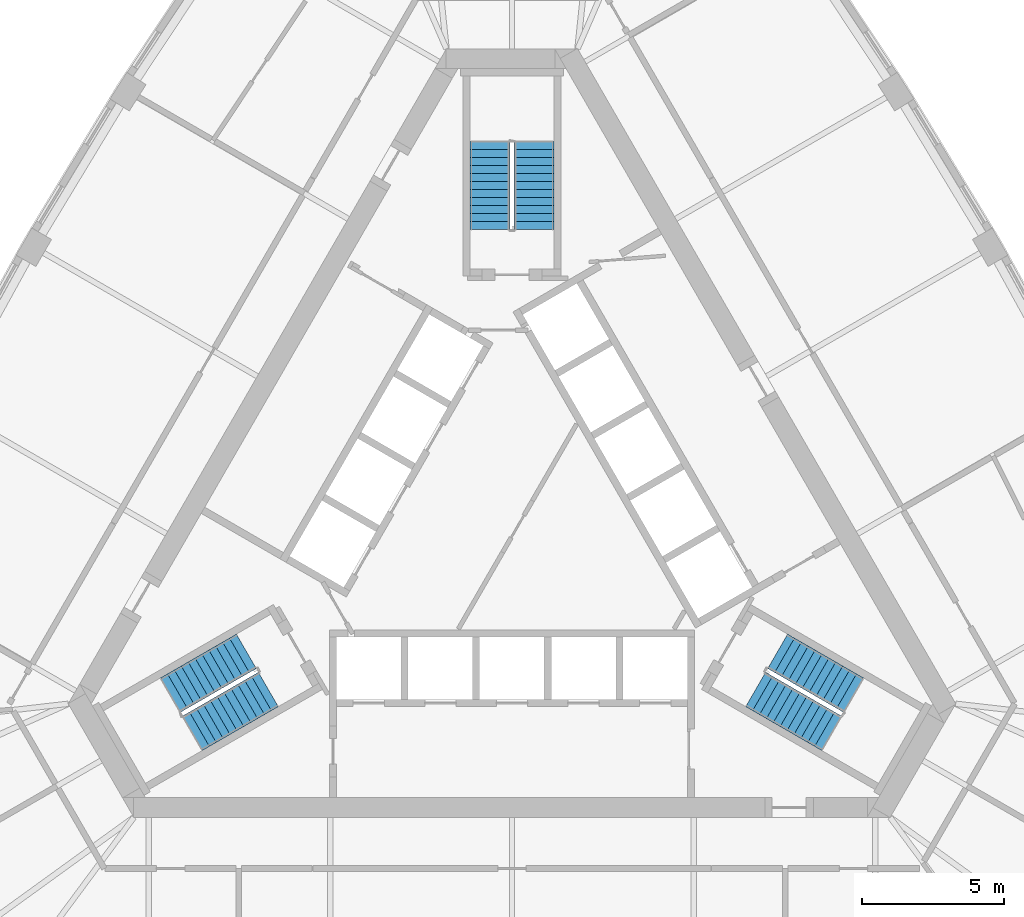
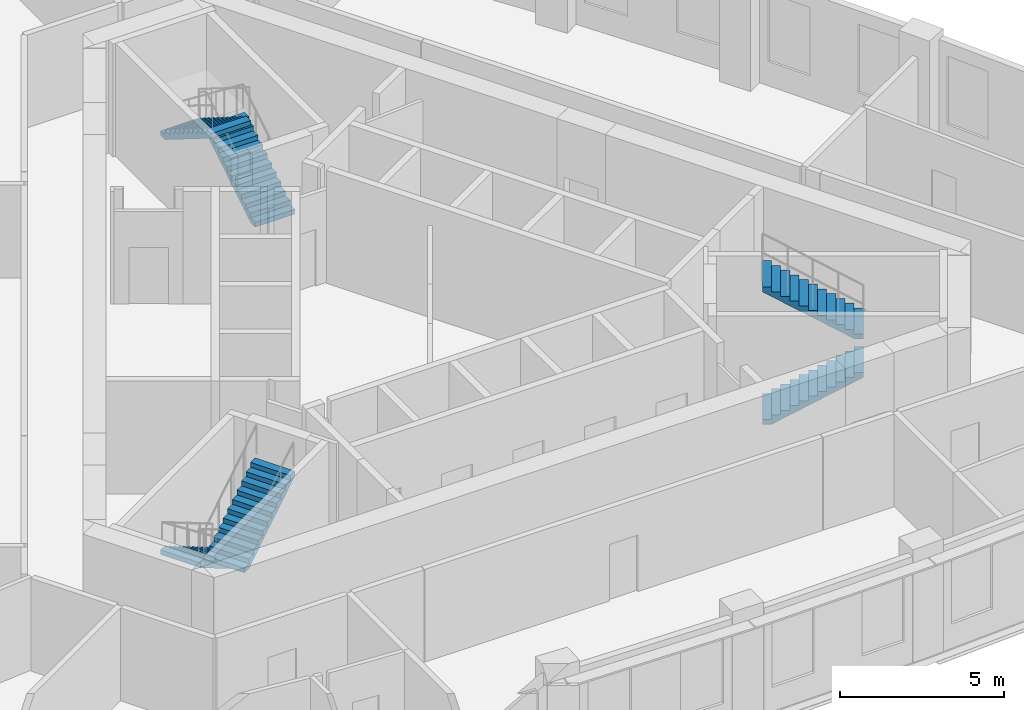
# One storey, part 9 of 10: 6 stair flights, 3 elements without a shape of their own.
"""IFC4 building model written with IfcOpenShell, lengths in metres."""

from ifc_helpers import new_model, si_unit, direction, frame, origin, place, context, subcontext, project, spatial, polyline, outline, extrude, material, type_object, element, aggregate, save


model = new_model("IFC4")

# Units and contexts
model_context = context("Model", 3, precision=1e-05, world=origin(), true_north=direction((0.0, 1.0)))
body_context = subcontext(model_context, "Body", "Model", "MODEL_VIEW")
ifc_project = project(units=[si_unit("LENGTHUNIT", "METRE"), si_unit("AREAUNIT", "SQUARE_METRE"), si_unit("VOLUMEUNIT", "CUBIC_METRE"), si_unit("PLANEANGLEUNIT", "RADIAN"), si_unit("MASSUNIT", "GRAM", prefix="KILO")], contexts=[model_context])

# Site, building, storey
site_placement = place(None, origin())
site = spatial("IfcSite", under=ifc_project, at=site_placement, CompositionType="ELEMENT")
building_placement = place(site_placement, origin())
building = spatial("IfcBuilding", under=site, at=building_placement, Name="Mestral Congress Tower", CompositionType="ELEMENT")
storey_placement = place(building_placement, frame((0.0, 0.0, 239.39990234375)))
storey = spatial("IfcBuildingStorey", under=building, at=storey_placement, Name="L56", CompositionType="ELEMENT", Elevation=239.39990234375)

# Stair, stair flights
ifc_material = material(Name="Concrete C60/75", Category="concrete")
stair_type = type_object("IfcStairType", Name="Exit stair 1400", PredefinedType="HALF_TURN_STAIR", material=ifc_material)
placement = place(storey_placement, origin())
stair_1 = element("IfcStair", 1, at=placement, inside=storey, type_object=stair_type, Name="L56 ST1", PredefinedType="HALF_TURN_STAIR")
stair_flight_type = type_object("IfcStairFlightType", Name="Exit stair flight 1400", PredefinedType="STRAIGHT", material=ifc_material)
stair_flight_1_placement = place(storey_placement, frame((8.575927734375, -5.84619140625, 0.0), z_axis=(0.0, 0.0, 1.0), x_axis=(0.866025403784, -0.5, 0.0)))
stair_flight_1 = element("IfcStairFlight", 2, at=stair_flight_1_placement, type_object=stair_flight_type, Name="ST1 flight 1", NumberOfRisers=12, NumberOfTreads=11, PredefinedType="STRAIGHT", RiserHeight=0.175, TreadLength=0.28, context=body_context, shape_type="SweptSolid", body=[
    extrude(outline(polyline([(0.0, 0.0), (0.0, 0.175048828125), (0.280029296875, 0.175048828125), (0.280029296875, 0.35009765625), (0.56005859375, 0.35009765625), (0.56005859375, 0.52490234375), (0.840087890625, 0.52490234375), (0.840087890625, 0.699951171875), (1.1201171875, 0.699951171875), (1.1201171875, 0.875), (1.39990234375, 0.875), (1.39990234375, 1.050048828125), (1.679931640625, 1.050048828125), (1.679931640625, 1.22509765625), (1.9599609375, 1.22509765625), (1.9599609375, 1.39990234375), (2.239990234375, 1.39990234375), (2.239990234375, 1.574951171875), (2.52001953125, 1.574951171875), (2.52001953125, 1.75), (2.800048828125, 1.75), (2.800048828125, 1.925048828125), (3.080078125, 1.925048828125), (3.080078125, 2.10009765625), (3.080078125, 1.748291015625), (0.28271484375, 0.0), (0.0, 0.0)])), frame((0.0, 0.699951171875, 0.0), z_axis=(0.0, -1.0, 0.0), x_axis=(1.0, 0.0, 0.0)), (0.0, 0.0, 1.0), 1.39990234375),
])
stair_flight_2_placement = place(storey_placement, frame((12.018310546875, -6.0439453125, 2.10009765625), z_axis=(0.0, 0.0, 1.0), x_axis=(-0.866025403784, 0.5, 0.0)))
stair_flight_2 = element("IfcStairFlight", 3, at=stair_flight_2_placement, type_object=stair_flight_type, Name="ST1 flight 2", NumberOfRisers=12, NumberOfTreads=11, PredefinedType="STRAIGHT", RiserHeight=0.175, TreadLength=0.28, context=body_context, shape_type="SweptSolid", body=[
    extrude(outline(polyline([(0.0, 0.0), (0.0, 0.175048828125), (0.280029296875, 0.175048828125), (0.280029296875, 0.35009765625), (0.56005859375, 0.35009765625), (0.56005859375, 0.52490234375), (0.840087890625, 0.52490234375), (0.840087890625, 0.699951171875), (1.1201171875, 0.699951171875), (1.1201171875, 0.875), (1.39990234375, 0.875), (1.39990234375, 1.050048828125), (1.679931640625, 1.050048828125), (1.679931640625, 1.22509765625), (1.9599609375, 1.22509765625), (1.9599609375, 1.39990234375), (2.239990234375, 1.39990234375), (2.239990234375, 1.574951171875), (2.52001953125, 1.574951171875), (2.52001953125, 1.75), (2.800048828125, 1.75), (2.800048828125, 1.925048828125), (3.080078125, 1.925048828125), (3.080078125, 2.10009765625), (3.080078125, 1.748291015625), (0.28271484375, 0.0), (0.0, 0.0)])), frame((0.0, 0.699951171875, 0.0), z_axis=(0.0, -1.0, 0.0), x_axis=(1.0, 0.0, 0.0)), (0.0, 0.0, 1.0), 1.39990234375),
])
aggregate(stair_1, [stair_flight_1, stair_flight_2])

stair_2 = element("IfcStair", 4, at=placement, inside=storey, type_object=stair_type, Name="L56 ST2", PredefinedType="HALF_TURN_STAIR")
stair_flight_3_placement = place(storey_placement, frame((0.77490234375, 10.35009765625, 0.0), z_axis=(0.0, 0.0, 1.0), x_axis=(0.0, 1.0, 0.0)))
stair_flight_3 = element("IfcStairFlight", 5, at=stair_flight_3_placement, type_object=stair_flight_type, Name="ST2 flight 1", NumberOfRisers=12, NumberOfTreads=11, PredefinedType="STRAIGHT", RiserHeight=0.175, TreadLength=0.28, context=body_context, shape_type="SweptSolid", body=[
    extrude(outline(polyline([(0.0, 0.0), (0.0, 0.175048828125), (0.280029296875, 0.175048828125), (0.280029296875, 0.35009765625), (0.56005859375, 0.35009765625), (0.56005859375, 0.52490234375), (0.840087890625, 0.52490234375), (0.840087890625, 0.699951171875), (1.1201171875, 0.699951171875), (1.1201171875, 0.875), (1.39990234375, 0.875), (1.39990234375, 1.050048828125), (1.679931640625, 1.050048828125), (1.679931640625, 1.22509765625), (1.9599609375, 1.22509765625), (1.9599609375, 1.39990234375), (2.239990234375, 1.39990234375), (2.239990234375, 1.574951171875), (2.52001953125, 1.574951171875), (2.52001953125, 1.75), (2.800048828125, 1.75), (2.800048828125, 1.925048828125), (3.080078125, 1.925048828125), (3.080078125, 2.10009765625), (3.080078125, 1.748291015625), (0.28271484375, 0.0), (0.0, 0.0)])), frame((0.0, 0.699951171875, 0.0), z_axis=(0.0, -1.0, 0.0), x_axis=(1.0, 0.0, 0.0)), (0.0, 0.0, 1.0), 1.39990234375),
])
stair_flight_4_placement = place(storey_placement, frame((-0.77490234375, 13.429931640625, 2.10009765625), z_axis=(0.0, 0.0, 1.0), x_axis=(0.0, -1.0, 0.0)))
stair_flight_4 = element("IfcStairFlight", 6, at=stair_flight_4_placement, type_object=stair_flight_type, Name="ST2 flight 2", NumberOfRisers=12, NumberOfTreads=11, PredefinedType="STRAIGHT", RiserHeight=0.175, TreadLength=0.28, context=body_context, shape_type="SweptSolid", body=[
    extrude(outline(polyline([(0.0, 0.0), (0.0, 0.175048828125), (0.280029296875, 0.175048828125), (0.280029296875, 0.35009765625), (0.56005859375, 0.35009765625), (0.56005859375, 0.52490234375), (0.840087890625, 0.52490234375), (0.840087890625, 0.699951171875), (1.1201171875, 0.699951171875), (1.1201171875, 0.875), (1.39990234375, 0.875), (1.39990234375, 1.050048828125), (1.679931640625, 1.050048828125), (1.679931640625, 1.22509765625), (1.9599609375, 1.22509765625), (1.9599609375, 1.39990234375), (2.239990234375, 1.39990234375), (2.239990234375, 1.574951171875), (2.52001953125, 1.574951171875), (2.52001953125, 1.75), (2.800048828125, 1.75), (2.800048828125, 1.925048828125), (3.080078125, 1.925048828125), (3.080078125, 2.10009765625), (3.080078125, 1.748291015625), (0.28271484375, 0.0), (0.0, 0.0)])), frame((0.0, 0.699951171875, 0.0), z_axis=(0.0, -1.0, 0.0), x_axis=(1.0, 0.0, 0.0)), (0.0, 0.0, 1.0), 1.39990234375),
])
aggregate(stair_2, [stair_flight_3, stair_flight_4])

stair_3 = element("IfcStair", 7, at=placement, inside=storey, type_object=stair_type, Name="L56 ST3", PredefinedType="HALF_TURN_STAIR")
stair_flight_5_placement = place(storey_placement, frame((-9.350830078125, -4.50390625, 0.0), z_axis=(0.0, 0.0, 1.0), x_axis=(-0.866025403784, -0.5, 0.0)))
stair_flight_5 = element("IfcStairFlight", 8, at=stair_flight_5_placement, type_object=stair_flight_type, Name="ST3 flight 1", NumberOfRisers=12, NumberOfTreads=11, PredefinedType="STRAIGHT", RiserHeight=0.175, TreadLength=0.28, context=body_context, shape_type="SweptSolid", body=[
    extrude(outline(polyline([(0.0, 0.0), (0.0, 0.175048828125), (0.280029296875, 0.175048828125), (0.280029296875, 0.35009765625), (0.56005859375, 0.35009765625), (0.56005859375, 0.52490234375), (0.840087890625, 0.52490234375), (0.840087890625, 0.699951171875), (1.1201171875, 0.699951171875), (1.1201171875, 0.875), (1.39990234375, 0.875), (1.39990234375, 1.050048828125), (1.679931640625, 1.050048828125), (1.679931640625, 1.22509765625), (1.9599609375, 1.22509765625), (1.9599609375, 1.39990234375), (2.239990234375, 1.39990234375), (2.239990234375, 1.574951171875), (2.52001953125, 1.574951171875), (2.52001953125, 1.75), (2.800048828125, 1.75), (2.800048828125, 1.925048828125), (3.080078125, 1.925048828125), (3.080078125, 2.10009765625), (3.080078125, 1.748291015625), (0.28271484375, 0.0), (0.0, 0.0)])), frame((0.0, 0.699951171875, 0.0), z_axis=(0.0, -1.0, 0.0), x_axis=(1.0, 0.0, 0.0)), (0.0, 0.0, 1.0), 1.39990234375),
])
stair_flight_6_placement = place(storey_placement, frame((-11.2431640625, -7.38623046875, 2.10009765625), z_axis=(0.0, 0.0, 1.0), x_axis=(0.866025403784, 0.5, 0.0)))
stair_flight_6 = element("IfcStairFlight", 9, at=stair_flight_6_placement, type_object=stair_flight_type, Name="ST3 flight 2", NumberOfRisers=12, NumberOfTreads=11, PredefinedType="STRAIGHT", RiserHeight=0.175, TreadLength=0.28, context=body_context, shape_type="SweptSolid", body=[
    extrude(outline(polyline([(0.0, 0.0), (0.0, 0.175048828125), (0.280029296875, 0.175048828125), (0.280029296875, 0.35009765625), (0.56005859375, 0.35009765625), (0.56005859375, 0.52490234375), (0.840087890625, 0.52490234375), (0.840087890625, 0.699951171875), (1.1201171875, 0.699951171875), (1.1201171875, 0.875), (1.39990234375, 0.875), (1.39990234375, 1.050048828125), (1.679931640625, 1.050048828125), (1.679931640625, 1.22509765625), (1.9599609375, 1.22509765625), (1.9599609375, 1.39990234375), (2.239990234375, 1.39990234375), (2.239990234375, 1.574951171875), (2.52001953125, 1.574951171875), (2.52001953125, 1.75), (2.800048828125, 1.75), (2.800048828125, 1.925048828125), (3.080078125, 1.925048828125), (3.080078125, 2.10009765625), (3.080078125, 1.748291015625), (0.28271484375, 0.0), (0.0, 0.0)])), frame((0.0, 0.699951171875, 0.0), z_axis=(0.0, -1.0, 0.0), x_axis=(1.0, 0.0, 0.0)), (0.0, 0.0, 1.0), 1.39990234375),
])
aggregate(stair_3, [stair_flight_5, stair_flight_6])

save(model, "model.ifc")
